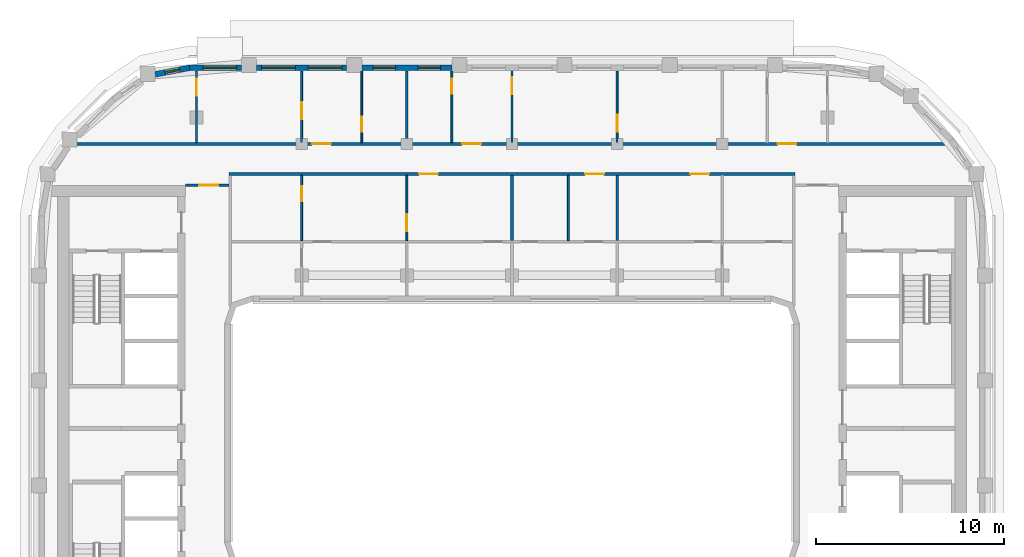
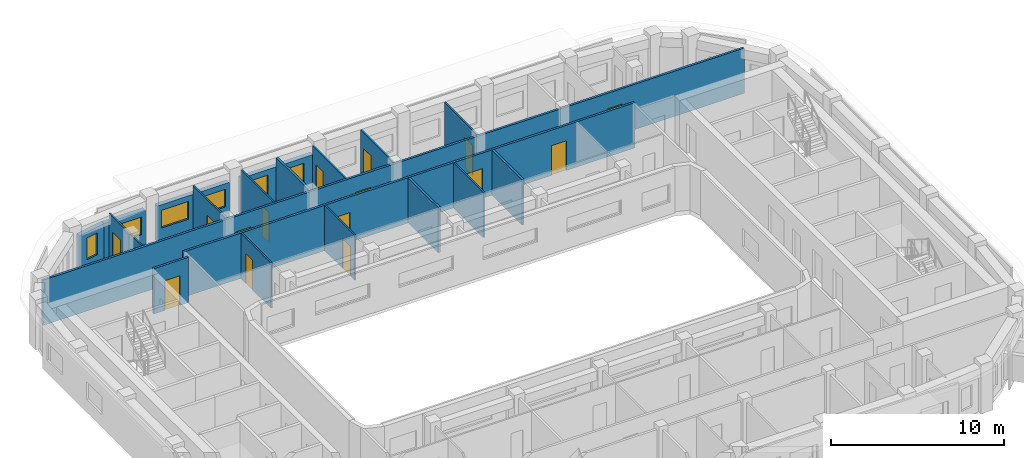
# One storey, part 7 of 16: 19 walls, 15 doors, 6 windows, 21 openings.
"""IFC4 building model written with IfcOpenShell, lengths in metres."""

from ifc_helpers import new_model, si_unit, direction, frame, frame_2d, origin, place, context, subcontext, project, spatial, rectangle, extrude, material, layer, layer_set, type_object, element, fill, save


model = new_model("IFC4")

# Units and contexts
model_context = context("Model", 3, precision=1e-05, world=origin(), true_north=direction((0.0, 1.0)))
body_context = subcontext(model_context, "Body", "Model", "MODEL_VIEW")
ifc_project = project(units=[si_unit("LENGTHUNIT", "METRE"), si_unit("AREAUNIT", "SQUARE_METRE"), si_unit("VOLUMEUNIT", "CUBIC_METRE"), si_unit("PLANEANGLEUNIT", "RADIAN"), si_unit("MASSUNIT", "GRAM", prefix="KILO")], contexts=[model_context])

# Site, building, storey
site_placement = place(None, origin())
site = spatial("IfcSite", under=ifc_project, at=site_placement, CompositionType="ELEMENT")
building_placement = place(site_placement, origin())
building = spatial("IfcBuilding", under=site, at=building_placement, Name="Kiln Ring Residences", CompositionType="ELEMENT")
storey_placement = place(building_placement, frame((0.0, 0.0, 245.199951171875)))
storey = spatial("IfcBuildingStorey", under=building, at=storey_placement, Name="L63", CompositionType="ELEMENT", Elevation=245.199951171875)

# Wall, openings, windows
ifc_material_1 = material(Name="Brick masonry, dark clay brick", Category="masonry")
ifc_layer_1 = layer(ifc_material_1, 0.300048828125)
ifc_layer_set_1 = layer_set([ifc_layer_1], Name="EW-300 BRICK WALL")
wall_type_1 = type_object("IfcWallType", Name="EW-300 BRICK WALL", PredefinedType="SOLIDWALL", material=ifc_layer_set_1)
wall_1_placement = place(storey_placement, frame((-3.199951171875, 19.449951171875, 0.0), z_axis=(0.0, 0.0, 1.0), x_axis=(-1.0, 0.0, 0.0)))
wall_1 = element("IfcWall", 1, at=wall_1_placement, inside=storey, type_object=wall_type_1, Name="Facade wall L63 30", PredefinedType="SOLIDWALL", context=body_context, shape_type="SweptSolid", body=[
    extrude(rectangle(XDim=4.800048828125, YDim=0.300048828125, at=frame_2d((2.39990234375, 0.0))), origin(), (0.0, 0.0, 1.0), 2.550048828125),
])
opening_1_placement = place(wall_1_placement, frame((0.60009765625, 0.0, 0.60009765625)))
opening_1 = element("IfcOpeningElement", 2, at=opening_1_placement, cuts=wall_1, Name="Opening W1", PredefinedType="OPENING", context=body_context, shape_type="SweptSolid", body=[
    extrude(rectangle(XDim=1.199951171875, YDim=1.550048828125, at=frame_2d((0.60009765625, 0.77490234375))), frame((0.0, 0.159912109375, 0.0), z_axis=(0.0, -1.0, 0.0), x_axis=(1.0, 0.0, 0.0)), (0.0, 0.0, 1.0), 0.320068359375),
])
opening_2_placement = place(wall_1_placement, frame((3.0, 0.0, 0.60009765625)))
opening_2 = element("IfcOpeningElement", 3, at=opening_2_placement, cuts=wall_1, Name="Opening W1", PredefinedType="OPENING", context=body_context, shape_type="SweptSolid", body=[
    extrude(rectangle(XDim=1.199951171875, YDim=1.550048828125, at=frame_2d((0.60009765625, 0.77490234375))), frame((0.0, 0.159912109375, 0.0), z_axis=(0.0, -1.0, 0.0), x_axis=(1.0, 0.0, 0.0)), (0.0, 0.0, 1.0), 0.320068359375),
])
ifc_material_2 = material(Name="Aluminium frame with double glazing", Category="aluminium")
window_type_1 = type_object("IfcWindowType", Name="WINDOW 1200 x 1550", PartitioningType="SINGLE_PANEL", PredefinedType="WINDOW", material=ifc_material_2)
window_1_placement = place(opening_1_placement, origin())
window_1 = element("IfcWindow", 4, at=window_1_placement, inside=storey, type_object=window_type_1, Name="Window L63 28", OverallHeight=1.550048828125, OverallWidth=1.199951171875, PartitioningType="SINGLE_PANEL", PredefinedType="WINDOW", context=body_context, shape_type="SweptSolid", body=[
    extrude(rectangle(XDim=1.199951171875, YDim=1.550048828125, at=frame_2d((0.60009765625, 0.77490234375))), frame((0.0, 0.030029296875, 0.0), z_axis=(0.0, -1.0, 0.0), x_axis=(1.0, 0.0, 0.0)), (0.0, 0.0, 1.0), 0.06005859375),
])
fill(opening_1, window_1)
window_2_placement = place(opening_2_placement, origin())
window_2 = element("IfcWindow", 5, at=window_2_placement, inside=storey, type_object=window_type_1, Name="Window L63 29", OverallHeight=1.550048828125, OverallWidth=1.199951171875, PartitioningType="SINGLE_PANEL", PredefinedType="WINDOW", context=body_context, shape_type="SweptSolid", body=[
    extrude(rectangle(XDim=1.199951171875, YDim=1.550048828125, at=frame_2d((0.60009765625, 0.77490234375))), frame((0.0, 0.030029296875, 0.0), z_axis=(0.0, -1.0, 0.0), x_axis=(1.0, 0.0, 0.0)), (0.0, 0.0, 1.0), 0.06005859375),
])
fill(opening_2, window_2)

wall_2_placement = place(storey_placement, frame((-8.800048828125, 19.449951171875, 0.0), z_axis=(0.0, 0.0, 1.0), x_axis=(-1.0, 0.0, 0.0)))
wall_2 = element("IfcWall", 6, at=wall_2_placement, inside=storey, type_object=wall_type_1, Name="Facade wall L63 31", PredefinedType="SOLIDWALL", context=body_context, shape_type="SweptSolid", body=[
    extrude(rectangle(XDim=4.800048828125, YDim=0.300048828125, at=frame_2d((2.39990234375, 0.0))), origin(), (0.0, 0.0, 1.0), 2.550048828125),
])
opening_3_placement = place(wall_2_placement, frame((0.262451171875, 0.0, 0.89990234375)))
opening_3 = element("IfcOpeningElement", 7, at=opening_3_placement, cuts=wall_2, Name="Opening W2", PredefinedType="OPENING", context=body_context, shape_type="SweptSolid", body=[
    extrude(rectangle(XDim=1.800048828125, YDim=1.25, at=frame_2d((0.89990234375, 0.625))), frame((0.0, 0.159912109375, 0.0), z_axis=(0.0, -1.0, 0.0), x_axis=(1.0, 0.0, 0.0)), (0.0, 0.0, 1.0), 0.320068359375),
])
opening_4_placement = place(wall_2_placement, frame((2.737548828125, 0.0, 0.89990234375)))
opening_4 = element("IfcOpeningElement", 8, at=opening_4_placement, cuts=wall_2, Name="Opening W2", PredefinedType="OPENING", context=body_context, shape_type="SweptSolid", body=[
    extrude(rectangle(XDim=1.800048828125, YDim=1.25, at=frame_2d((0.89990234375, 0.625))), frame((0.0, 0.159912109375, 0.0), z_axis=(0.0, -1.0, 0.0), x_axis=(1.0, 0.0, 0.0)), (0.0, 0.0, 1.0), 0.320068359375),
])
ifc_material_3 = material(Name="Aluminium frame with double glazing", Category="aluminium")
window_type_2 = type_object("IfcWindowType", Name="WINDOW 1800 x 1250", PartitioningType="SINGLE_PANEL", PredefinedType="WINDOW", material=ifc_material_3)
window_3_placement = place(opening_3_placement, origin())
window_3 = element("IfcWindow", 9, at=window_3_placement, inside=storey, type_object=window_type_2, Name="Window L63 30", OverallHeight=1.25, OverallWidth=1.800048828125, PartitioningType="SINGLE_PANEL", PredefinedType="WINDOW", context=body_context, shape_type="SweptSolid", body=[
    extrude(rectangle(XDim=1.800048828125, YDim=1.25, at=frame_2d((0.89990234375, 0.625))), frame((0.0, 0.030029296875, 0.0), z_axis=(0.0, -1.0, 0.0), x_axis=(1.0, 0.0, 0.0)), (0.0, 0.0, 1.0), 0.06005859375),
])
fill(opening_3, window_3)
window_4_placement = place(opening_4_placement, origin())
window_4 = element("IfcWindow", 10, at=window_4_placement, inside=storey, type_object=window_type_2, Name="Window L63 31", OverallHeight=1.25, OverallWidth=1.800048828125, PartitioningType="SINGLE_PANEL", PredefinedType="WINDOW", context=body_context, shape_type="SweptSolid", body=[
    extrude(rectangle(XDim=1.800048828125, YDim=1.25, at=frame_2d((0.89990234375, 0.625))), frame((0.0, 0.030029296875, 0.0), z_axis=(0.0, -1.0, 0.0), x_axis=(1.0, 0.0, 0.0)), (0.0, 0.0, 1.0), 0.06005859375),
])
fill(opening_4, window_4)

# Wall, opening, window
wall_3_placement = place(storey_placement, frame((-14.39990234375, 19.449951171875, 0.0), z_axis=(0.0, 0.0, 1.0), x_axis=(-1.0, 0.0, 0.0)))
wall_3 = element("IfcWall", 11, at=wall_3_placement, inside=storey, type_object=wall_type_1, Name="Facade wall L63 32", PredefinedType="SOLIDWALL", context=body_context, shape_type="SweptSolid", body=[
    extrude(rectangle(XDim=2.800048828125, YDim=0.300048828125, at=frame_2d((1.39990234375, 0.0))), origin(), (0.0, 0.0, 1.0), 2.550048828125),
])
opening_5_placement = place(wall_3_placement, frame((0.262451171875, 0.0, 0.89990234375)))
opening_5 = element("IfcOpeningElement", 12, at=opening_5_placement, cuts=wall_3, Name="Opening W2", PredefinedType="OPENING", context=body_context, shape_type="SweptSolid", body=[
    extrude(rectangle(XDim=1.800048828125, YDim=1.25, at=frame_2d((0.89990234375, 0.625))), frame((0.0, 0.159912109375, 0.0), z_axis=(0.0, -1.0, 0.0), x_axis=(1.0, 0.0, 0.0)), (0.0, 0.0, 1.0), 0.320068359375),
])
window_5_placement = place(opening_5_placement, origin())
window_5 = element("IfcWindow", 13, at=window_5_placement, inside=storey, type_object=window_type_2, Name="Window L63 32", OverallHeight=1.25, OverallWidth=1.800048828125, PartitioningType="SINGLE_PANEL", PredefinedType="WINDOW", context=body_context, shape_type="SweptSolid", body=[
    extrude(rectangle(XDim=1.800048828125, YDim=1.25, at=frame_2d((0.89990234375, 0.625))), frame((0.0, 0.030029296875, 0.0), z_axis=(0.0, -1.0, 0.0), x_axis=(1.0, 0.0, 0.0)), (0.0, 0.0, 1.0), 0.06005859375),
])
fill(opening_5, window_5)

wall_4_placement = place(storey_placement, frame((-17.171875, 19.45263671875, 0.0), z_axis=(0.0, 0.0, 1.0), x_axis=(-0.982301706131, -0.187305520826, 0.0)))
wall_4 = element("IfcWall", 14, at=wall_4_placement, inside=storey, type_object=wall_type_1, Name="Facade wall L63 33", PredefinedType="SOLIDWALL", context=body_context, shape_type="SweptSolid", body=[
    extrude(rectangle(XDim=1.856201171875, YDim=0.300048828125, at=frame_2d((0.92822265625, 0.0))), origin(), (0.0, 0.0, 1.0), 2.550048828125),
])
opening_6_placement = place(wall_4_placement, frame((0.528076171875, 0.0, 0.60009765625)))
opening_6 = element("IfcOpeningElement", 15, at=opening_6_placement, cuts=wall_4, Name="Opening W5", PredefinedType="OPENING", context=body_context, shape_type="SweptSolid", body=[
    extrude(rectangle(XDim=0.800048828125, YDim=1.550048828125, at=frame_2d((0.39990234375, 0.77490234375))), frame((0.0, 0.159912109375, 0.0), z_axis=(0.0, -1.0, 0.0), x_axis=(1.0, 0.0, 0.0)), (0.0, 0.0, 1.0), 0.320068359375),
])
ifc_material_4 = material(Name="Aluminium frame with double glazing", Category="aluminium")
window_type_3 = type_object("IfcWindowType", Name="WINDOW 800 x 1550", PartitioningType="SINGLE_PANEL", PredefinedType="WINDOW", material=ifc_material_4)
window_6_placement = place(opening_6_placement, origin())
window_6 = element("IfcWindow", 16, at=window_6_placement, inside=storey, type_object=window_type_3, Name="Window L63 33", OverallHeight=1.550048828125, OverallWidth=0.800048828125, PartitioningType="SINGLE_PANEL", PredefinedType="WINDOW", context=body_context, shape_type="SweptSolid", body=[
    extrude(rectangle(XDim=0.800048828125, YDim=1.550048828125, at=frame_2d((0.39990234375, 0.77490234375))), frame((0.0, 0.030029296875, 0.0), z_axis=(0.0, -1.0, 0.0), x_axis=(1.0, 0.0, 0.0)), (0.0, 0.0, 1.0), 0.06005859375),
])
fill(opening_6, window_6)

# Wall, opening, door
ifc_material_5 = material(Name="Gypsum board on steel studs", Category="steel")
ifc_layer_2 = layer(ifc_material_5, 0.10009765625)
ifc_layer_set_2 = layer_set([ifc_layer_2], Name="PARTITION-100")
wall_type_2 = type_object("IfcWallType", Name="PARTITION-100", PredefinedType="PARTITIONING", material=ifc_layer_set_2)
wall_5_placement = place(storey_placement, frame((-16.800048828125, 15.47509765625, 0.0), z_axis=(0.0, 0.0, 1.0), x_axis=(0.0, 1.0, 0.0)))
wall_5 = element("IfcWall", 17, at=wall_5_placement, inside=storey, type_object=wall_type_2, Name="Partition 011", PredefinedType="PARTITIONING", context=body_context, shape_type="SweptSolid", body=[
    extrude(rectangle(XDim=3.804931640625, YDim=0.10009765625, at=frame_2d((1.90234375, 0.0))), origin(), (0.0, 0.0, 1.0), 3.199951171875),
])
opening_7_placement = place(wall_5_placement, frame((2.485107421875, 0.0, 0.0)))
opening_7 = element("IfcOpeningElement", 18, at=opening_7_placement, cuts=wall_5, Name="Opening L63-D021", PredefinedType="OPENING", context=body_context, shape_type="SweptSolid", body=[
    extrude(rectangle(XDim=0.89990234375, YDim=2.10009765625, at=frame_2d((0.449951171875, 1.050048828125))), frame((0.0, 0.06005859375, 0.0), z_axis=(0.0, -1.0, 0.0), x_axis=(1.0, 0.0, 0.0)), (0.0, 0.0, 1.0), 0.1201171875),
])
ifc_material_6 = material(Name="Timber door leaf", Category="wood")
door_type_1 = type_object("IfcDoorType", Name="FLAT-DOOR-900-PL", OperationType="SINGLE_SWING_LEFT", PredefinedType="DOOR", material=ifc_material_6)
door_1_placement = place(opening_7_placement, origin())
door_1 = element("IfcDoor", 19, at=door_1_placement, inside=storey, type_object=door_type_1, Name="Door L63-D021", OperationType="SINGLE_SWING_LEFT", OverallHeight=2.10009765625, OverallWidth=0.89990234375, PredefinedType="DOOR", context=body_context, shape_type="SweptSolid", body=[
    extrude(rectangle(XDim=0.89990234375, YDim=2.10009765625, at=frame_2d((0.449951171875, 1.050048828125))), frame((0.0, 0.02490234375, 0.0), z_axis=(0.0, -1.0, 0.0), x_axis=(1.0, 0.0, 0.0)), (0.0, 0.0, 1.0), 0.050048828125),
])
fill(opening_7, door_1)

wall_6_placement = place(storey_placement, frame((-11.199951171875, 10.25, 0.0), z_axis=(0.0, 0.0, 1.0), x_axis=(0.0, 1.0, 0.0)))
wall_6 = element("IfcWall", 20, at=wall_6_placement, inside=storey, type_object=wall_type_2, Name="Partition 018", PredefinedType="PARTITIONING", context=body_context, shape_type="SweptSolid", body=[
    extrude(rectangle(XDim=3.47509765625, YDim=0.10009765625, at=frame_2d((1.737548828125, 0.0))), origin(), (0.0, 0.0, 1.0), 3.199951171875),
])
opening_8_placement = place(wall_6_placement, frame((2.09912109375, 0.0, 0.0)))
opening_8 = element("IfcOpeningElement", 21, at=opening_8_placement, cuts=wall_6, Name="Opening L63-D007", PredefinedType="OPENING", context=body_context, shape_type="SweptSolid", body=[
    extrude(rectangle(XDim=0.800048828125, YDim=2.10009765625, at=frame_2d((0.39990234375, 1.050048828125))), frame((0.0, 0.06005859375, 0.0), z_axis=(0.0, -1.0, 0.0), x_axis=(1.0, 0.0, 0.0)), (0.0, 0.0, 1.0), 0.1201171875),
])
ifc_material_7 = material(Name="Timber door leaf", Category="wood")
door_type_2 = type_object("IfcDoorType", Name="FLAT-DOOR-800-PL", OperationType="SINGLE_SWING_LEFT", PredefinedType="DOOR", material=ifc_material_7)
door_2_placement = place(opening_8_placement, origin())
door_2 = element("IfcDoor", 22, at=door_2_placement, inside=storey, type_object=door_type_2, Name="Door L63-D007", OperationType="SINGLE_SWING_LEFT", OverallHeight=2.10009765625, OverallWidth=0.800048828125, PredefinedType="DOOR", context=body_context, shape_type="SweptSolid", body=[
    extrude(rectangle(XDim=0.800048828125, YDim=2.10009765625, at=frame_2d((0.39990234375, 1.050048828125))), frame((0.0, 0.02490234375, 0.0), z_axis=(0.0, -1.0, 0.0), x_axis=(1.0, 0.0, 0.0)), (0.0, 0.0, 1.0), 0.050048828125),
])
fill(opening_8, door_2)

wall_7_placement = place(storey_placement, frame((-11.199951171875, 15.47509765625, 0.0), z_axis=(0.0, 0.0, 1.0), x_axis=(0.0, 1.0, 0.0)))
wall_7 = element("IfcWall", 23, at=wall_7_placement, inside=storey, type_object=wall_type_2, Name="Partition 019", PredefinedType="PARTITIONING", context=body_context, shape_type="SweptSolid", body=[
    extrude(rectangle(XDim=3.804931640625, YDim=0.10009765625, at=frame_2d((1.90234375, 0.0))), origin(), (0.0, 0.0, 1.0), 3.199951171875),
])
opening_9_placement = place(wall_7_placement, frame((1.235107421875, 0.0, 0.0)))
opening_9 = element("IfcOpeningElement", 24, at=opening_9_placement, cuts=wall_7, Name="Opening L63-D020", PredefinedType="OPENING", context=body_context, shape_type="SweptSolid", body=[
    extrude(rectangle(XDim=0.89990234375, YDim=2.10009765625, at=frame_2d((0.449951171875, 1.050048828125))), frame((0.0, 0.06005859375, 0.0), z_axis=(0.0, -1.0, 0.0), x_axis=(1.0, 0.0, 0.0)), (0.0, 0.0, 1.0), 0.1201171875),
])
door_3_placement = place(opening_9_placement, origin())
door_3 = element("IfcDoor", 25, at=door_3_placement, inside=storey, type_object=door_type_1, Name="Door L63-D020", OperationType="SINGLE_SWING_RIGHT", OverallHeight=2.10009765625, OverallWidth=0.89990234375, PredefinedType="DOOR", context=body_context, shape_type="SweptSolid", body=[
    extrude(rectangle(XDim=0.89990234375, YDim=2.10009765625, at=frame_2d((0.449951171875, 1.050048828125))), frame((0.0, 0.02490234375, 0.0), z_axis=(0.0, -1.0, 0.0), x_axis=(1.0, 0.0, 0.0)), (0.0, 0.0, 1.0), 0.050048828125),
])
fill(opening_9, door_3)

wall_8_placement = place(storey_placement, frame((-8.0, 15.47509765625, 0.0), z_axis=(0.0, 0.0, 1.0), x_axis=(0.0, 1.0, 0.0)))
wall_8 = element("IfcWall", 26, at=wall_8_placement, inside=storey, type_object=wall_type_2, Name="Partition 022", PredefinedType="PARTITIONING", context=body_context, shape_type="SweptSolid", body=[
    extrude(rectangle(XDim=3.804931640625, YDim=0.10009765625, at=frame_2d((1.90234375, 0.0))), origin(), (0.0, 0.0, 1.0), 3.199951171875),
])
opening_10_placement = place(wall_8_placement, frame((0.575927734375, 0.0, 0.0)))
opening_10 = element("IfcOpeningElement", 27, at=opening_10_placement, cuts=wall_8, Name="Opening L63-D019", PredefinedType="OPENING", context=body_context, shape_type="SweptSolid", body=[
    extrude(rectangle(XDim=0.800048828125, YDim=2.10009765625, at=frame_2d((0.39990234375, 1.050048828125))), frame((0.0, 0.06005859375, 0.0), z_axis=(0.0, -1.0, 0.0), x_axis=(1.0, 0.0, 0.0)), (0.0, 0.0, 1.0), 0.1201171875),
])
door_4_placement = place(opening_10_placement, origin())
door_4 = element("IfcDoor", 28, at=door_4_placement, inside=storey, type_object=door_type_2, Name="Door L63-D019", OperationType="SINGLE_SWING_LEFT", OverallHeight=2.10009765625, OverallWidth=0.800048828125, PredefinedType="DOOR", context=body_context, shape_type="SweptSolid", body=[
    extrude(rectangle(XDim=0.800048828125, YDim=2.10009765625, at=frame_2d((0.39990234375, 1.050048828125))), frame((0.0, 0.02490234375, 0.0), z_axis=(0.0, -1.0, 0.0), x_axis=(1.0, 0.0, 0.0)), (0.0, 0.0, 1.0), 0.050048828125),
])
fill(opening_10, door_4)

wall_9_placement = place(storey_placement, frame((-5.60009765625, 10.25, 0.0), z_axis=(0.0, 0.0, 1.0), x_axis=(0.0, 1.0, 0.0)))
wall_9 = element("IfcWall", 29, at=wall_9_placement, inside=storey, type_object=wall_type_2, Name="Partition 025", PredefinedType="PARTITIONING", context=body_context, shape_type="SweptSolid", body=[
    extrude(rectangle(XDim=3.47509765625, YDim=0.10009765625, at=frame_2d((1.737548828125, 0.0))), origin(), (0.0, 0.0, 1.0), 3.199951171875),
])
opening_11_placement = place(wall_9_placement, frame((0.4990234375, 0.0, 0.0)))
opening_11 = element("IfcOpeningElement", 30, at=opening_11_placement, cuts=wall_9, Name="Opening L63-D006", PredefinedType="OPENING", context=body_context, shape_type="SweptSolid", body=[
    extrude(rectangle(XDim=0.89990234375, YDim=2.10009765625, at=frame_2d((0.449951171875, 1.050048828125))), frame((0.0, 0.06005859375, 0.0), z_axis=(0.0, -1.0, 0.0), x_axis=(1.0, 0.0, 0.0)), (0.0, 0.0, 1.0), 0.1201171875),
])
door_5_placement = place(opening_11_placement, origin())
door_5 = element("IfcDoor", 31, at=door_5_placement, inside=storey, type_object=door_type_1, Name="Door L63-D006", OperationType="SINGLE_SWING_RIGHT", OverallHeight=2.10009765625, OverallWidth=0.89990234375, PredefinedType="DOOR", context=body_context, shape_type="SweptSolid", body=[
    extrude(rectangle(XDim=0.89990234375, YDim=2.10009765625, at=frame_2d((0.449951171875, 1.050048828125))), frame((0.0, 0.02490234375, 0.0), z_axis=(0.0, -1.0, 0.0), x_axis=(1.0, 0.0, 0.0)), (0.0, 0.0, 1.0), 0.050048828125),
])
fill(opening_11, door_5)

wall_10_placement = place(storey_placement, frame((-3.199951171875, 15.47509765625, 0.0), z_axis=(0.0, 0.0, 1.0), x_axis=(0.0, 1.0, 0.0)))
wall_10 = element("IfcWall", 32, at=wall_10_placement, inside=storey, type_object=wall_type_2, Name="Partition 029", PredefinedType="PARTITIONING", context=body_context, shape_type="SweptSolid", body=[
    extrude(rectangle(XDim=3.804931640625, YDim=0.10009765625, at=frame_2d((1.90234375, 0.0))), origin(), (0.0, 0.0, 1.0), 3.199951171875),
])
opening_12_placement = place(wall_10_placement, frame((2.5849609375, 0.0, 0.0)))
opening_12 = element("IfcOpeningElement", 33, at=opening_12_placement, cuts=wall_10, Name="Opening L63-D023", PredefinedType="OPENING", context=body_context, shape_type="SweptSolid", body=[
    extrude(rectangle(XDim=0.800048828125, YDim=2.10009765625, at=frame_2d((0.39990234375, 1.050048828125))), frame((0.0, 0.06005859375, 0.0), z_axis=(0.0, -1.0, 0.0), x_axis=(1.0, 0.0, 0.0)), (0.0, 0.0, 1.0), 0.1201171875),
])
door_6_placement = place(opening_12_placement, origin())
door_6 = element("IfcDoor", 34, at=door_6_placement, inside=storey, type_object=door_type_2, Name="Door L63-D023", OperationType="SINGLE_SWING_LEFT", OverallHeight=2.10009765625, OverallWidth=0.800048828125, PredefinedType="DOOR", context=body_context, shape_type="SweptSolid", body=[
    extrude(rectangle(XDim=0.800048828125, YDim=2.10009765625, at=frame_2d((0.39990234375, 1.050048828125))), frame((0.0, 0.02490234375, 0.0), z_axis=(0.0, -1.0, 0.0), x_axis=(1.0, 0.0, 0.0)), (0.0, 0.0, 1.0), 0.050048828125),
])
fill(opening_12, door_6)

wall_11_placement = place(storey_placement, frame((0.0, 15.47509765625, 0.0), z_axis=(0.0, 0.0, 1.0), x_axis=(0.0, 1.0, 0.0)))
wall_11 = element("IfcWall", 35, at=wall_11_placement, inside=storey, type_object=wall_type_2, Name="Partition 032", PredefinedType="PARTITIONING", context=body_context, shape_type="SweptSolid", body=[
    extrude(rectangle(XDim=3.804931640625, YDim=0.10009765625, at=frame_2d((1.90234375, 0.0))), origin(), (0.0, 0.0, 1.0), 3.199951171875),
])
opening_13_placement = place(wall_11_placement, frame((2.575927734375, 0.0, 0.0)))
opening_13 = element("IfcOpeningElement", 36, at=opening_13_placement, cuts=wall_11, Name="Opening L63-D024", PredefinedType="OPENING", context=body_context, shape_type="SweptSolid", body=[
    extrude(rectangle(XDim=0.89990234375, YDim=2.10009765625, at=frame_2d((0.449951171875, 1.050048828125))), frame((0.0, 0.06005859375, 0.0), z_axis=(0.0, -1.0, 0.0), x_axis=(1.0, 0.0, 0.0)), (0.0, 0.0, 1.0), 0.1201171875),
])
door_7_placement = place(opening_13_placement, origin())
door_7 = element("IfcDoor", 37, at=door_7_placement, inside=storey, type_object=door_type_1, Name="Door L63-D024", OperationType="SINGLE_SWING_RIGHT", OverallHeight=2.10009765625, OverallWidth=0.89990234375, PredefinedType="DOOR", context=body_context, shape_type="SweptSolid", body=[
    extrude(rectangle(XDim=0.89990234375, YDim=2.10009765625, at=frame_2d((0.449951171875, 1.050048828125))), frame((0.0, 0.02490234375, 0.0), z_axis=(0.0, -1.0, 0.0), x_axis=(1.0, 0.0, 0.0)), (0.0, 0.0, 1.0), 0.050048828125),
])
fill(opening_13, door_7)

# Wall
wall_12_placement = place(storey_placement, frame((3.0, 10.25, 0.0), z_axis=(0.0, 0.0, 1.0), x_axis=(0.0, 1.0, 0.0)))
element("IfcWall", 38, at=wall_12_placement, inside=storey, type_object=wall_type_2, Name="Partition 037", PredefinedType="PARTITIONING", context=body_context, shape_type="SweptSolid", body=[
    extrude(rectangle(XDim=3.47509765625, YDim=0.10009765625, at=frame_2d((1.737548828125, 0.0))), origin(), (0.0, 0.0, 1.0), 3.199951171875),
])

# Wall, opening, door
wall_13_placement = place(storey_placement, frame((5.60009765625, 15.47509765625, 0.0), z_axis=(0.0, 0.0, 1.0), x_axis=(0.0, 1.0, 0.0)))
wall_13 = element("IfcWall", 39, at=wall_13_placement, inside=storey, type_object=wall_type_2, Name="Partition 039", PredefinedType="PARTITIONING", context=body_context, shape_type="SweptSolid", body=[
    extrude(rectangle(XDim=3.804931640625, YDim=0.10009765625, at=frame_2d((1.90234375, 0.0))), origin(), (0.0, 0.0, 1.0), 3.199951171875),
])
opening_14_placement = place(wall_13_placement, frame((0.575927734375, 0.0, 0.0)))
opening_14 = element("IfcOpeningElement", 40, at=opening_14_placement, cuts=wall_13, Name="Opening L63-D025", PredefinedType="OPENING", context=body_context, shape_type="SweptSolid", body=[
    extrude(rectangle(XDim=0.89990234375, YDim=2.10009765625, at=frame_2d((0.449951171875, 1.050048828125))), frame((0.0, 0.06005859375, 0.0), z_axis=(0.0, -1.0, 0.0), x_axis=(1.0, 0.0, 0.0)), (0.0, 0.0, 1.0), 0.1201171875),
])
door_8_placement = place(opening_14_placement, origin())
door_8 = element("IfcDoor", 41, at=door_8_placement, inside=storey, type_object=door_type_1, Name="Door L63-D025", OperationType="SINGLE_SWING_LEFT", OverallHeight=2.10009765625, OverallWidth=0.89990234375, PredefinedType="DOOR", context=body_context, shape_type="SweptSolid", body=[
    extrude(rectangle(XDim=0.89990234375, YDim=2.10009765625, at=frame_2d((0.449951171875, 1.050048828125))), frame((0.0, 0.02490234375, 0.0), z_axis=(0.0, -1.0, 0.0), x_axis=(1.0, 0.0, 0.0)), (0.0, 0.0, 1.0), 0.050048828125),
])
fill(opening_14, door_8)

ifc_material_8 = material(Name="Brick masonry partition", Category="masonry")
ifc_layer_3 = layer(ifc_material_8, 0.14990234375)
ifc_layer_set_3 = layer_set([ifc_layer_3], Name="PARTITION-150-ei60")
wall_type_3 = type_object("IfcWallType", Name="PARTITION-150-ei60", PredefinedType="PARTITIONING", material=ifc_layer_set_3)
wall_14_placement = place(storey_placement, frame((-17.39990234375, 13.199951171875, 0.0), z_axis=(0.0, 0.0, 1.0), x_axis=(1.0, 0.0, 0.0)))
wall_14 = element("IfcWall", 42, at=wall_14_placement, inside=storey, type_object=wall_type_3, Name="Partition 006", PredefinedType="PARTITIONING", context=body_context, shape_type="SweptSolid", body=[
    extrude(rectangle(XDim=2.324951171875, YDim=0.14990234375, at=frame_2d((1.16259765625, 0.0))), origin(), (0.0, 0.0, 1.0), 3.199951171875),
])
opening_15_placement = place(wall_14_placement, frame((0.75, 0.0, 0.0)))
opening_15 = element("IfcOpeningElement", 43, at=opening_15_placement, cuts=wall_14, Name="Opening L63-D001", PredefinedType="OPENING", context=body_context, shape_type="SweptSolid", body=[
    extrude(rectangle(XDim=1.0, YDim=2.10009765625, at=frame_2d((0.5, 1.050048828125))), frame((0.0, 0.0849609375, 0.0), z_axis=(0.0, -1.0, 0.0), x_axis=(1.0, 0.0, 0.0)), (0.0, 0.0, 1.0), 0.169921875),
])
ifc_material_9 = material(Name="Steel faced fire door leaf", Category="steel")
door_type_3 = type_object("IfcDoorType", Name="FLAT-DOOR-1000-FR", OperationType="SINGLE_SWING_LEFT", PredefinedType="DOOR", material=ifc_material_9)
door_9_placement = place(opening_15_placement, origin())
door_9 = element("IfcDoor", 44, at=door_9_placement, inside=storey, type_object=door_type_3, Name="Door L63-D001", OperationType="SINGLE_SWING_RIGHT", OverallHeight=2.10009765625, OverallWidth=1.0, PredefinedType="DOOR", context=body_context, shape_type="SweptSolid", body=[
    extrude(rectangle(XDim=1.0, YDim=2.10009765625, at=frame_2d((0.5, 1.050048828125))), frame((0.0, 0.02490234375, 0.0), z_axis=(0.0, -1.0, 0.0), x_axis=(1.0, 0.0, 0.0)), (0.0, 0.0, 1.0), 0.050048828125),
])
fill(opening_15, door_9)

# Wall, openings, doors
wall_15_placement = place(storey_placement, frame((-15.074951171875, 13.800048828125, 0.0), z_axis=(0.0, 0.0, 1.0), x_axis=(1.0, 0.0, 0.0)))
wall_15 = element("IfcWall", 45, at=wall_15_placement, inside=storey, type_object=wall_type_3, Name="Partition 008", PredefinedType="PARTITIONING", context=body_context, shape_type="SweptSolid", body=[
    extrude(rectangle(XDim=30.14990234375, YDim=0.14990234375, at=frame_2d((15.074951171875, 0.0))), origin(), (0.0, 0.0, 1.0), 3.199951171875),
])
opening_16_placement = place(wall_15_placement, frame((10.125, 0.0, 0.0)))
opening_16 = element("IfcOpeningElement", 46, at=opening_16_placement, cuts=wall_15, Name="Opening L63-D005", PredefinedType="OPENING", context=body_context, shape_type="SweptSolid", body=[
    extrude(rectangle(XDim=1.0, YDim=2.10009765625, at=frame_2d((0.5, 1.050048828125))), frame((0.0, 0.0849609375, 0.0), z_axis=(0.0, -1.0, 0.0), x_axis=(1.0, 0.0, 0.0)), (0.0, 0.0, 1.0), 0.169921875),
])
opening_17_placement = place(wall_15_placement, frame((18.97509765625, 0.0, 0.0)))
opening_17 = element("IfcOpeningElement", 47, at=opening_17_placement, cuts=wall_15, Name="Opening L63-D011", PredefinedType="OPENING", context=body_context, shape_type="SweptSolid", body=[
    extrude(rectangle(XDim=1.0, YDim=2.10009765625, at=frame_2d((0.5, 1.050048828125))), frame((0.0, 0.0849609375, 0.0), z_axis=(0.0, -1.0, 0.0), x_axis=(1.0, 0.0, 0.0)), (0.0, 0.0, 1.0), 0.169921875),
])
opening_18_placement = place(wall_15_placement, frame((24.574951171875, 0.0, 0.0)))
opening_18 = element("IfcOpeningElement", 48, at=opening_18_placement, cuts=wall_15, Name="Opening L63-D014", PredefinedType="OPENING", context=body_context, shape_type="SweptSolid", body=[
    extrude(rectangle(XDim=1.0, YDim=2.10009765625, at=frame_2d((0.5, 1.050048828125))), frame((0.0, 0.0849609375, 0.0), z_axis=(0.0, -1.0, 0.0), x_axis=(1.0, 0.0, 0.0)), (0.0, 0.0, 1.0), 0.169921875),
])
door_10_placement = place(opening_16_placement, origin())
door_10 = element("IfcDoor", 49, at=door_10_placement, inside=storey, type_object=door_type_3, Name="Door L63-D005", OperationType="SINGLE_SWING_LEFT", OverallHeight=2.10009765625, OverallWidth=1.0, PredefinedType="DOOR", context=body_context, shape_type="SweptSolid", body=[
    extrude(rectangle(XDim=1.0, YDim=2.10009765625, at=frame_2d((0.5, 1.050048828125))), frame((0.0, 0.02490234375, 0.0), z_axis=(0.0, -1.0, 0.0), x_axis=(1.0, 0.0, 0.0)), (0.0, 0.0, 1.0), 0.050048828125),
])
fill(opening_16, door_10)
door_11_placement = place(opening_17_placement, origin())
door_11 = element("IfcDoor", 50, at=door_11_placement, inside=storey, type_object=door_type_3, Name="Door L63-D011", OperationType="SINGLE_SWING_LEFT", OverallHeight=2.10009765625, OverallWidth=1.0, PredefinedType="DOOR", context=body_context, shape_type="SweptSolid", body=[
    extrude(rectangle(XDim=1.0, YDim=2.10009765625, at=frame_2d((0.5, 1.050048828125))), frame((0.0, 0.02490234375, 0.0), z_axis=(0.0, -1.0, 0.0), x_axis=(1.0, 0.0, 0.0)), (0.0, 0.0, 1.0), 0.050048828125),
])
fill(opening_17, door_11)
door_12_placement = place(opening_18_placement, origin())
door_12 = element("IfcDoor", 51, at=door_12_placement, inside=storey, type_object=door_type_3, Name="Door L63-D014", OperationType="SINGLE_SWING_RIGHT", OverallHeight=2.10009765625, OverallWidth=1.0, PredefinedType="DOOR", context=body_context, shape_type="SweptSolid", body=[
    extrude(rectangle(XDim=1.0, YDim=2.10009765625, at=frame_2d((0.5, 1.050048828125))), frame((0.0, 0.02490234375, 0.0), z_axis=(0.0, -1.0, 0.0), x_axis=(1.0, 0.0, 0.0)), (0.0, 0.0, 1.0), 0.050048828125),
])
fill(opening_18, door_12)

wall_16_placement = place(storey_placement, frame((-23.550048828125, 15.39990234375, 0.0), z_axis=(0.0, 0.0, 1.0), x_axis=(1.0, 0.0, 0.0)))
wall_16 = element("IfcWall", 52, at=wall_16_placement, inside=storey, type_object=wall_type_3, Name="Partition 009", PredefinedType="PARTITIONING", context=body_context, shape_type="SweptSolid", body=[
    extrude(rectangle(XDim=46.8720703125, YDim=0.14990234375, at=frame_2d((23.43603515625, 0.0))), origin(), (0.0, 0.0, 1.0), 3.199951171875),
])
opening_19_placement = place(wall_16_placement, frame((12.89990234375, 0.0, 0.0)))
opening_19 = element("IfcOpeningElement", 53, at=opening_19_placement, cuts=wall_16, Name="Opening L63-D018", PredefinedType="OPENING", context=body_context, shape_type="SweptSolid", body=[
    extrude(rectangle(XDim=1.0, YDim=2.10009765625, at=frame_2d((0.5, 1.050048828125))), frame((0.0, 0.0849609375, 0.0), z_axis=(0.0, -1.0, 0.0), x_axis=(1.0, 0.0, 0.0)), (0.0, 0.0, 1.0), 0.169921875),
])
opening_20_placement = place(wall_16_placement, frame((20.89990234375, 0.0, 0.0)))
opening_20 = element("IfcOpeningElement", 54, at=opening_20_placement, cuts=wall_16, Name="Opening L63-D022", PredefinedType="OPENING", context=body_context, shape_type="SweptSolid", body=[
    extrude(rectangle(XDim=1.0, YDim=2.10009765625, at=frame_2d((0.5, 1.050048828125))), frame((0.0, 0.0849609375, 0.0), z_axis=(0.0, -1.0, 0.0), x_axis=(1.0, 0.0, 0.0)), (0.0, 0.0, 1.0), 0.169921875),
])
opening_21_placement = place(wall_16_placement, frame((37.699951171875, 0.0, 0.0)))
opening_21 = element("IfcOpeningElement", 55, at=opening_21_placement, cuts=wall_16, Name="Opening L63-D026", PredefinedType="OPENING", context=body_context, shape_type="SweptSolid", body=[
    extrude(rectangle(XDim=1.0, YDim=2.10009765625, at=frame_2d((0.5, 1.050048828125))), frame((0.0, 0.0849609375, 0.0), z_axis=(0.0, -1.0, 0.0), x_axis=(1.0, 0.0, 0.0)), (0.0, 0.0, 1.0), 0.169921875),
])
door_13_placement = place(opening_19_placement, origin())
door_13 = element("IfcDoor", 56, at=door_13_placement, inside=storey, type_object=door_type_3, Name="Door L63-D018", OperationType="SINGLE_SWING_RIGHT", OverallHeight=2.10009765625, OverallWidth=1.0, PredefinedType="DOOR", context=body_context, shape_type="SweptSolid", body=[
    extrude(rectangle(XDim=1.0, YDim=2.10009765625, at=frame_2d((0.5, 1.050048828125))), frame((0.0, 0.02490234375, 0.0), z_axis=(0.0, -1.0, 0.0), x_axis=(1.0, 0.0, 0.0)), (0.0, 0.0, 1.0), 0.050048828125),
])
fill(opening_19, door_13)
door_14_placement = place(opening_20_placement, origin())
door_14 = element("IfcDoor", 57, at=door_14_placement, inside=storey, type_object=door_type_3, Name="Door L63-D022", OperationType="SINGLE_SWING_RIGHT", OverallHeight=2.10009765625, OverallWidth=1.0, PredefinedType="DOOR", context=body_context, shape_type="SweptSolid", body=[
    extrude(rectangle(XDim=1.0, YDim=2.10009765625, at=frame_2d((0.5, 1.050048828125))), frame((0.0, 0.02490234375, 0.0), z_axis=(0.0, -1.0, 0.0), x_axis=(1.0, 0.0, 0.0)), (0.0, 0.0, 1.0), 0.050048828125),
])
fill(opening_20, door_14)
door_15_placement = place(opening_21_placement, origin())
door_15 = element("IfcDoor", 58, at=door_15_placement, inside=storey, type_object=door_type_3, Name="Door L63-D026", OperationType="SINGLE_SWING_RIGHT", OverallHeight=2.10009765625, OverallWidth=1.0, PredefinedType="DOOR", context=body_context, shape_type="SweptSolid", body=[
    extrude(rectangle(XDim=1.0, YDim=2.10009765625, at=frame_2d((0.5, 1.050048828125))), frame((0.0, 0.02490234375, 0.0), z_axis=(0.0, -1.0, 0.0), x_axis=(1.0, 0.0, 0.0)), (0.0, 0.0, 1.0), 0.050048828125),
])
fill(opening_21, door_15)

# Walls
wall_17_placement = place(storey_placement, frame((-5.60009765625, 15.47509765625, 0.0), z_axis=(0.0, 0.0, 1.0), x_axis=(0.0, 1.0, 0.0)))
element("IfcWall", 59, at=wall_17_placement, inside=storey, type_object=wall_type_3, Name="Partition 028", PredefinedType="PARTITIONING", context=body_context, shape_type="SweptSolid", body=[
    extrude(rectangle(XDim=3.804931640625, YDim=0.14990234375, at=frame_2d((1.90234375, 0.0))), origin(), (0.0, 0.0, 1.0), 3.199951171875),
])
for number, where, z_axis, x_axis, name in (
    (60, (0.0, 10.25, 0.0), (0.0, 0.0, 1.0), (0.0, 1.0, 0.0), "Partition 035"),
    (61, (5.60009765625, 10.25, 0.0), (0.0, 0.0, 1.0), (0.0, 1.0, 0.0), "Partition 043"),
):
    element("IfcWall", number, at=place(storey_placement, frame(where, z_axis=z_axis, x_axis=x_axis)), inside=storey, type_object=wall_type_3, Name=name, PredefinedType="PARTITIONING", context=body_context, shape_type="SweptSolid", body=[
        extrude(rectangle(XDim=3.47509765625, YDim=0.14990234375, at=frame_2d((1.737548828125, 0.0))), origin(), (0.0, 0.0, 1.0), 3.199951171875),
    ])

save(model, "model.ifc")
